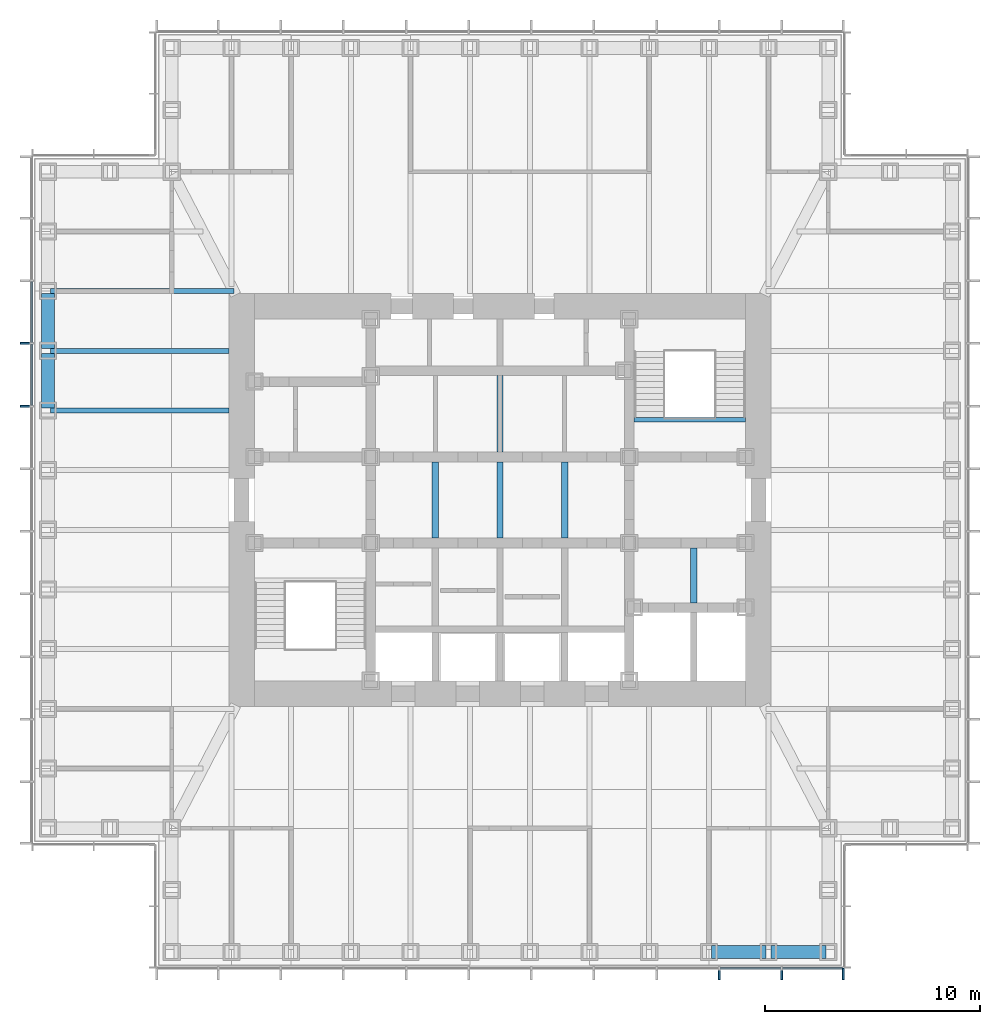
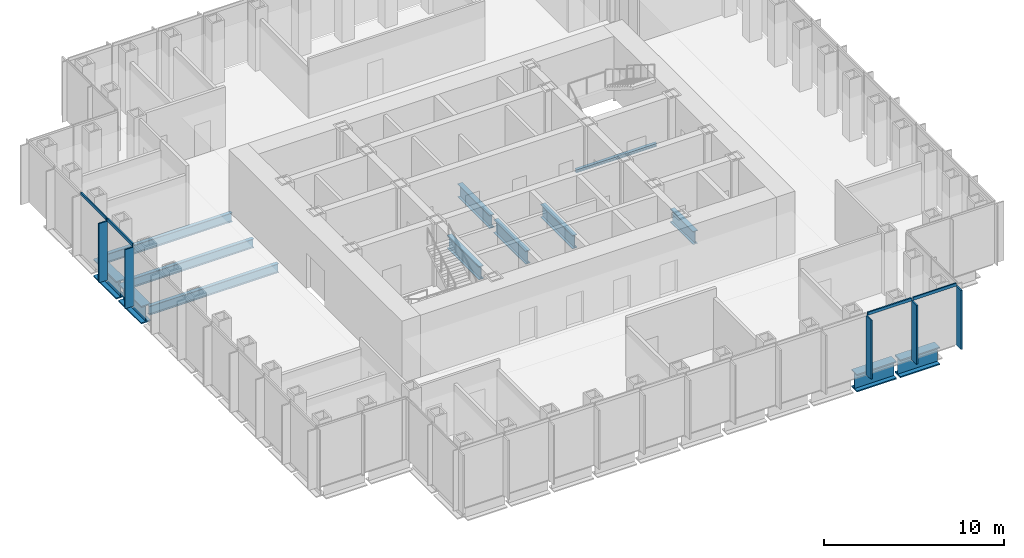
# One storey, part 3 of 16: 13 beams, 9 members, 2 elements without a shape of their own.
"""IFC4 building model written with IfcOpenShell, lengths in metres."""

import ifcopenshell
import ifcopenshell.guid

model = None  # the IFC model being written
_history = None  # IfcOwnerHistory: only IFC2X3 demands one
_inside = {}  # id of a spatial element -> (the spatial element, [elements in it])
_under = {}  # id of a project, library or spatial element -> (it, [spatial elements below it])
_declared = {}  # id of a project -> (the project, [libraries it declares])
_typed = {}  # id of a type object -> (the type object, [elements of that type])
_made_of = {}  # id of a material, layer set ... -> (it, [elements and type objects made of it])


def new_model(schema):
    """Start an empty IFC model of exactly this schema.

    Asked for "IFC4X3", IfcOpenShell would pick the latest addendum, in which some entities
    have other attributes; the version numbers below select the first issue.
    IFC2X3 requires an IfcOwnerHistory on every rooted entity: one is made here for all.
    """
    global model, _history
    if schema == "IFC4X3":
        model = ifcopenshell.file(schema_version=(4, 3, 0, 0))
    else:
        model = ifcopenshell.file(schema=schema)
    _inside.clear()
    _under.clear()
    _declared.clear()
    _typed.clear()
    _made_of.clear()
    _history = None
    if model.schema == "IFC2X3":
        org = make("IfcOrganization", Name="unknown")
        user = make(
            "IfcPersonAndOrganization",
            ThePerson=make("IfcPerson", FamilyName="unknown"),
            TheOrganization=org,
        )
        app = make(
            "IfcApplication",
            ApplicationDeveloper=org,
            Version="unknown",
            ApplicationFullName="unknown",
            ApplicationIdentifier="unknown",
        )
        _history = make(
            "IfcOwnerHistory",
            OwningUser=user,
            OwningApplication=app,
            ChangeAction="ADDED",
            CreationDate=0,
        )
    return model


def make(cls, **values):
    """One entity of the class cls with the attributes given. An attribute that is None is left unset."""
    return model.create_entity(
        cls, **{name: value for name, value in values.items() if value is not None}
    )


def rooted(cls, **values):
    """An entity with a GlobalId (a new one), such as an element, a storey or a relation."""
    return make(cls, GlobalId=ifcopenshell.guid.new(), OwnerHistory=_history, **values)


def si_unit(unit_type, name, prefix=None):
    """IfcSIUnit, for example si_unit("LENGTHUNIT", "METRE", prefix="MILLI")."""
    return make("IfcSIUnit", UnitType=unit_type, Prefix=prefix, Name=name)


def assignment(units):
    """IfcUnitAssignment: the units of a project."""
    return None if units is None else make("IfcUnitAssignment", Units=units)


def point(xyz):
    """IfcCartesianPoint."""
    return None if xyz is None else make("IfcCartesianPoint", Coordinates=xyz)


def direction(xyz):
    """IfcDirection."""
    return None if xyz is None else make("IfcDirection", DirectionRatios=xyz)


def frame(location, z_axis=None, x_axis=None):
    """IfcAxis2Placement3D, a coordinate frame: its origin and axes. An axis left out is left unset."""
    return make(
        "IfcAxis2Placement3D",
        Location=point(location),
        Axis=direction(z_axis),
        RefDirection=direction(x_axis),
    )


def frame_2d(location, x_axis=None):
    """IfcAxis2Placement2D, a coordinate frame in the plane: its origin and x axis."""
    return make(
        "IfcAxis2Placement2D", Location=point(location), RefDirection=direction(x_axis)
    )


def origin():
    """The frame at (0, 0, 0) with its axes left unset."""
    return frame((0.0, 0.0, 0.0))


def origin_2d():
    """The frame at (0, 0) in the plane with its x axis left unset."""
    return frame_2d((0.0, 0.0))


def place(relative_to, where):
    """IfcLocalPlacement: puts the frame where relative to a parent placement (None: the world)."""
    return make(
        "IfcLocalPlacement", PlacementRelTo=relative_to, RelativePlacement=where
    )


def context(
    kind, dimensions, precision=None, world=None, true_north=None, identifier=None
):
    """IfcGeometricRepresentationContext, for example the 3D "Model" context."""
    return make(
        "IfcGeometricRepresentationContext",
        ContextIdentifier=identifier,
        ContextType=kind,
        CoordinateSpaceDimension=dimensions,
        Precision=precision,
        WorldCoordinateSystem=world,
        TrueNorth=true_north,
    )


def subcontext(parent, identifier, kind, view, scale=None):
    """IfcGeometricRepresentationSubContext, for example "Body" below "Model"."""
    return make(
        "IfcGeometricRepresentationSubContext",
        ContextIdentifier=identifier,
        ContextType=kind,
        ParentContext=parent,
        TargetScale=scale,
        TargetView=view,
    )


def project(units=None, contexts=None):
    """IfcProject with its units and contexts."""
    return rooted(
        "IfcProject",
        Name="project",
        RepresentationContexts=contexts,
        UnitsInContext=assignment(units),
    )


def spatial(cls, under=None, at=None, **own):
    """A site, building, storey or space (cls), placed at a placement, below another one or the project."""
    s = rooted(cls, ObjectPlacement=at, **own)
    if under is not None:
        _under.setdefault(under.id(), (under, []))[1].append(s)
    return s


def profile(cls, at=None, kind="AREA", **sizes):
    """A parametric profile (cls). Its sizes go by their IFC names, for example OverallWidth=200.0."""
    return make(cls, ProfileType=kind, Position=at, **sizes)


def rectangle(**sizes):
    """IfcRectangleProfileDef."""
    return profile("IfcRectangleProfileDef", **sizes)


def i_section(**sizes):
    """IfcIShapeProfileDef."""
    return profile("IfcIShapeProfileDef", **sizes)


def extrude(swept, where, along, depth):
    """IfcExtrudedAreaSolid: the profile swept, set in the frame where, extruded along a direction by depth."""
    return make(
        "IfcExtrudedAreaSolid",
        SweptArea=swept,
        Position=where,
        ExtrudedDirection=direction(along),
        Depth=depth,
    )


def shape(context_of_items, identifier, shape_type, items):
    """IfcShapeRepresentation: the items that make up one representation, for example the "Body"."""
    return make(
        "IfcShapeRepresentation",
        ContextOfItems=context_of_items,
        RepresentationIdentifier=identifier,
        RepresentationType=shape_type,
        Items=items,
    )


def material(Name=None, Category=None):
    """IfcMaterial."""
    return make("IfcMaterial", Name=Name, Category=Category)


def material_profile(
    of_material, cross_section, Name=None, Category=None, Priority=None
):
    """IfcMaterialProfile: a cross section and its material."""
    return make(
        "IfcMaterialProfile",
        Name=Name,
        Material=of_material,
        Profile=cross_section,
        Priority=Priority,
        Category=Category,
    )


def profile_set(profiles, Name=None, composite=None):
    """IfcMaterialProfileSet."""
    return make(
        "IfcMaterialProfileSet",
        Name=Name,
        MaterialProfiles=profiles,
        CompositeProfile=composite,
    )


def made_of(thing, what):
    """Note that an element or type object is made of a material, layer set ...; save() writes the relation."""
    if what is not None:
        _made_of.setdefault(what.id(), (what, []))[1].append(thing)
    return thing


def type_object(cls, material=None, **own):
    """A type object (cls), such as IfcWallType, which elements share."""
    return made_of(rooted(cls, **own), material)


def element(
    cls,
    number,
    at=None,
    inside=None,
    cuts=None,
    type_object=None,
    material=None,
    context=None,
    identifier="Body",
    shape_type=None,
    held_by="IfcProductDefinitionShape",
    body=None,
    shapes=None,
    **own,
):
    """One element of the class cls, such as IfcWall. Its Tag is "e" and its number.

    at: its placement. inside: the storey or other place that contains it. cuts: it is an
    opening in that element (IfcRelVoidsElement). A single representation is given by context,
    identifier, shape_type and body (its items); several are given by shapes. held_by: the class
    of the entity that holds the representations. save() writes the other relations.
    """
    e = rooted(cls, Tag="e%d" % number, ObjectPlacement=at, **own)
    if body is not None:
        shapes = [shape(context, identifier, shape_type, body)]
    if shapes is not None:
        e.Representation = make(held_by, Representations=shapes)
    if inside is not None:
        _inside.setdefault(inside.id(), (inside, []))[1].append(e)
    if cuts is not None:
        rooted(
            "IfcRelVoidsElement", RelatingBuildingElement=cuts, RelatedOpeningElement=e
        )
    if type_object is not None:
        _typed.setdefault(type_object.id(), (type_object, []))[1].append(e)
    return made_of(e, material)


def aggregate(whole, parts):
    """IfcRelAggregates: a whole, such as a stair, and the parts it consists of."""
    return rooted("IfcRelAggregates", RelatingObject=whole, RelatedObjects=parts)


def save(model, path):
    """Write the relations noted so far, then the file.

    IfcRelAggregates (storeys below a building ...), IfcRelContainedInSpatialStructure (elements
    in a storey), IfcRelDefinesByType, IfcRelAssociatesMaterial and IfcRelDeclares: one each for
    every whole, place, type object, material and project.
    """
    for whole, parts in _under.values():
        aggregate(whole, parts)
    for where, things in _inside.values():
        rooted(
            "IfcRelContainedInSpatialStructure",
            RelatedElements=things,
            RelatingStructure=where,
        )
    for kind, things in _typed.values():
        rooted("IfcRelDefinesByType", RelatedObjects=things, RelatingType=kind)
    for what, things in _made_of.values():
        rooted("IfcRelAssociatesMaterial", RelatedObjects=things, RelatingMaterial=what)
    for by, libraries in _declared.values():
        rooted("IfcRelDeclares", RelatingContext=by, RelatedDefinitions=libraries)
    model.write(path)


model = new_model("IFC4")

# Units and contexts
model_context = context("Model", 3, precision=1e-05, world=origin(), true_north=direction((0.0, 1.0)))
body_context = subcontext(model_context, "Body", "Model", "MODEL_VIEW")
ifc_project = project(units=[si_unit("LENGTHUNIT", "METRE"), si_unit("AREAUNIT", "SQUARE_METRE"), si_unit("VOLUMEUNIT", "CUBIC_METRE"), si_unit("PLANEANGLEUNIT", "RADIAN"), si_unit("MASSUNIT", "GRAM", prefix="KILO")], contexts=[model_context])

# Site, building, storey
site_placement = place(None, origin())
site = spatial("IfcSite", under=ifc_project, at=site_placement, CompositionType="ELEMENT")
building_placement = place(site_placement, origin())
building = spatial("IfcBuilding", under=site, at=building_placement, Name="Daluyong Arena Tower", CompositionType="ELEMENT")
storey_placement = place(building_placement, frame((0.0, 0.0, 262.89990234375)))
storey = spatial("IfcBuildingStorey", under=building, at=storey_placement, Name="L59", CompositionType="ELEMENT", Elevation=262.89990234375)

# Curtain wall, members
ifc_material_1 = material(Name="Bronze anodised aluminium and glass", Category="aluminium")
curtain_wall_type = type_object("IfcCurtainWallType", Name="Curtain wall CW4", PredefinedType="USERDEFINED", material=ifc_material_1)
curtain_wall_1_placement = place(storey_placement, origin())
curtain_wall_1 = element("IfcCurtainWall", 1, at=curtain_wall_1_placement, inside=storey, type_object=curtain_wall_type, Name="curtain wall L59 S", ObjectType="UNITISED CURTAIN WALL", PredefinedType="USERDEFINED")
ifc_material_2 = material(Name="Bronze anodised aluminium fin", Category="aluminium")
ifc_material_profile_1 = material_profile(ifc_material_2, rectangle(XDim=0.550048828125, YDim=0.090087890625, at=origin_2d()))
ifc_profile_set_1 = profile_set([ifc_material_profile_1], Name="Bronze anodised aluminium fin")
member_type_1 = type_object("IfcMemberType", Name="CW4 bronze fin 550x90", PredefinedType="MULLION", material=ifc_profile_set_1)
member_1_placement = place(storey_placement, frame((66.181884765625, 57.97509765625, 0.0), z_axis=(0.0, 0.0, 1.0), x_axis=(0.0, 1.0, 0.0)))
member_1 = element("IfcMember", 2, at=member_1_placement, type_object=member_type_1, Name="curtain wall L59 S fin 10", PredefinedType="MULLION", context=body_context, shape_type="SweptSolid", body=[
    extrude(rectangle(XDim=0.550048828125, YDim=0.090087890625, at=origin_2d()), origin(), (0.0, 0.0, 1.0), 4.0),
])
member_2_placement = place(storey_placement, frame((69.0908203125, 57.97509765625, 0.0), z_axis=(0.0, 0.0, 1.0), x_axis=(0.0, 1.0, 0.0)))
member_2 = element("IfcMember", 3, at=member_2_placement, type_object=member_type_1, Name="curtain wall L59 S fin 11", PredefinedType="MULLION", context=body_context, shape_type="SweptSolid", body=[
    extrude(rectangle(XDim=0.550048828125, YDim=0.090087890625, at=origin_2d()), origin(), (0.0, 0.0, 1.0), 4.0),
])
member_3_placement = place(storey_placement, frame((71.955078125, 57.97509765625, 0.0), z_axis=(0.0, 0.0, 1.0), x_axis=(0.0, 1.0, 0.0)))
member_3 = element("IfcMember", 4, at=member_3_placement, type_object=member_type_1, Name="curtain wall L59 S fin 12", PredefinedType="MULLION", context=body_context, shape_type="SweptSolid", body=[
    extrude(rectangle(XDim=0.550048828125, YDim=0.090087890625, at=origin_2d()), origin(), (0.0, 0.0, 1.0), 4.0),
])

curtain_wall_2_placement = place(storey_placement, origin())
curtain_wall_2 = element("IfcCurtainWall", 5, at=curtain_wall_2_placement, inside=storey, type_object=curtain_wall_type, Name="curtain wall L59 W", ObjectType="UNITISED CURTAIN WALL", PredefinedType="USERDEFINED")
member_4_placement = place(storey_placement, frame((33.97509765625, 87.272705078125, 0.0), z_axis=(0.0, 0.0, 1.0), x_axis=(1.0, 0.0, 0.0)))
member_4 = element("IfcMember", 6, at=member_4_placement, type_object=member_type_1, Name="curtain wall L59 W fin 4", PredefinedType="MULLION", context=body_context, shape_type="SweptSolid", body=[
    extrude(rectangle(XDim=0.550048828125, YDim=0.090087890625, at=origin_2d()), origin(), (0.0, 0.0, 1.0), 4.0),
])
member_5_placement = place(storey_placement, frame((33.97509765625, 84.363525390625, 0.0), z_axis=(0.0, 0.0, 1.0), x_axis=(1.0, 0.0, 0.0)))
member_5 = element("IfcMember", 7, at=member_5_placement, type_object=member_type_1, Name="curtain wall L59 W fin 5", PredefinedType="MULLION", context=body_context, shape_type="SweptSolid", body=[
    extrude(rectangle(XDim=0.550048828125, YDim=0.090087890625, at=origin_2d()), origin(), (0.0, 0.0, 1.0), 4.0),
])

# Member
ifc_material_3 = material(Name="Bronze anodised aluminium", Category="aluminium")
ifc_material_profile_2 = material_profile(ifc_material_3, rectangle(XDim=0.090087890625, YDim=0.199951171875, at=origin_2d()))
ifc_profile_set_2 = profile_set([ifc_material_profile_2], Name="Bronze anodised aluminium")
member_type_2 = type_object("IfcMemberType", Name="CW4 stack transom 200x90", PredefinedType="USERDEFINED", material=ifc_profile_set_2)
member_6_placement = place(storey_placement, frame((66.226806640625, 58.25, 4.10009765625), z_axis=(1.0, 0.0, 0.0), x_axis=(0.0, 1.0, 0.0)))
member_6 = element("IfcMember", 8, at=member_6_placement, type_object=member_type_2, Name="curtain wall L59 S transom 10", ObjectType="TRANSOM", PredefinedType="USERDEFINED", context=body_context, shape_type="SweptSolid", body=[
    extrude(rectangle(XDim=0.090087890625, YDim=0.199951171875, at=origin_2d()), origin(), (0.0, 0.0, 1.0), 2.819091796875),
])

member_7_placement = place(storey_placement, frame((69.135986328125, 58.25, 4.10009765625), z_axis=(1.0, 0.0, 0.0), x_axis=(0.0, 1.0, 0.0)))
member_7 = element("IfcMember", 9, at=member_7_placement, type_object=member_type_2, Name="curtain wall L59 S transom 11", ObjectType="TRANSOM", PredefinedType="USERDEFINED", context=body_context, shape_type="SweptSolid", body=[
    extrude(rectangle(XDim=0.090087890625, YDim=0.199951171875, at=origin_2d()), origin(), (0.0, 0.0, 1.0), 2.77392578125),
])

aggregate(curtain_wall_1, [member_1, member_2, member_3, member_6, member_7])

member_8_placement = place(storey_placement, frame((34.25, 90.13671875, 4.10009765625), z_axis=(0.0, -1.0, 0.0), x_axis=(1.0, 0.0, 0.0)))
member_8 = element("IfcMember", 10, at=member_8_placement, type_object=member_type_2, Name="curtain wall L59 W transom 3", ObjectType="TRANSOM", PredefinedType="USERDEFINED", context=body_context, shape_type="SweptSolid", body=[
    extrude(rectangle(XDim=0.090087890625, YDim=0.199951171875, at=origin_2d()), origin(), (0.0, 0.0, 1.0), 2.819091796875),
])

member_9_placement = place(storey_placement, frame((34.25, 87.227783203125, 4.10009765625), z_axis=(0.0, -1.0, 0.0), x_axis=(1.0, 0.0, 0.0)))
member_9 = element("IfcMember", 11, at=member_9_placement, type_object=member_type_2, Name="curtain wall L59 W transom 4", ObjectType="TRANSOM", PredefinedType="USERDEFINED", context=body_context, shape_type="SweptSolid", body=[
    extrude(rectangle(XDim=0.090087890625, YDim=0.199951171875, at=origin_2d()), origin(), (0.0, 0.0, 1.0), 2.819091796875),
])

aggregate(curtain_wall_2, [member_4, member_5, member_8, member_9])

# Beams
ifc_material_4 = material(Name="Steel ASTM A992 Grade 50", Category="steel")
ifc_material_profile_3 = material_profile(ifc_material_4, i_section(OverallWidth=0.22900390625, OverallDepth=0.612060546875, WebThickness=0.011962890625, FlangeThickness=0.01953125, at=origin_2d()))
ifc_profile_set_3 = profile_set([ifc_material_profile_3], Name="Steel ASTM A992 Grade 50")
beam_type_1 = type_object("IfcBeamType", Name="Floor beam W24X84", PredefinedType="BEAM", material=ifc_profile_set_3)
beam_1_placement = place(storey_placement, frame((35.114990234375, 89.70458984375, -0.466064453125), z_axis=(1.0, 0.0, 0.0), x_axis=(0.0, 1.0, 0.0)))
element("IfcBeam", 12, at=beam_1_placement, inside=storey, type_object=beam_type_1, Name="floor beam FB3", PredefinedType="BEAM", context=body_context, shape_type="SweptSolid", body=[
    extrude(i_section(OverallWidth=0.22900390625, OverallDepth=0.612060546875, WebThickness=0.011962890625, FlangeThickness=0.01953125, at=origin_2d()), origin(), (0.0, 0.0, 1.0), 8.5185546875),
])
for number, where, z_axis, x_axis, name in (
    (13, (35.114990234375, 86.931884765625, -0.466064453125), (1.0, 0.0, 0.0), (0.0, 1.0, 0.0), "floor beam FB3"),
    (14, (35.114990234375, 84.1591796875, -0.466064453125), (1.0, 0.0, 0.0), (0.0, 1.0, 0.0), "floor beam FB3"),
):
    element("IfcBeam", number, at=place(storey_placement, frame(where, z_axis=z_axis, x_axis=x_axis)), inside=storey, type_object=beam_type_1, Name=name, PredefinedType="BEAM", context=body_context, shape_type="SweptSolid", body=[
        extrude(i_section(OverallWidth=0.22900390625, OverallDepth=0.612060546875, WebThickness=0.011962890625, FlangeThickness=0.01953125, at=origin_2d()), origin(), (0.0, 0.0, 1.0), 8.284912109375),
    ])
ifc_material_5 = material(Name="Steel ASTM A572 Grade 50", Category="steel")
ifc_material_profile_4 = material_profile(ifc_material_5, i_section(OverallWidth=0.300048828125, OverallDepth=0.89990234375, WebThickness=0.025, FlangeThickness=0.04, at=origin_2d()))
ifc_profile_set_4 = profile_set([ifc_material_profile_4], Name="Steel ASTM A572 Grade 50")
beam_type_2 = type_object("IfcBeamType", Name="Lift divider beam PG900X300", PredefinedType="BEAM", material=ifc_profile_set_4)
for number, where, z_axis, x_axis, name in (
    (15, (53.0, 78.22509765625, -0.60986328125), (0.0, 1.0, 0.0), (-1.0, 0.0, 0.0), "lift divider beam DB1"),
    (16, (56.0, 78.22509765625, -0.60986328125), (0.0, 1.0, 0.0), (-1.0, 0.0, 0.0), "lift divider beam DB1"),
    (17, (56.0, 82.22509765625, -0.60986328125), (0.0, 1.0, 0.0), (-1.0, 0.0, 0.0), "lift divider beam DB1"),
    (18, (59.0, 78.22509765625, -0.60986328125), (0.0, 1.0, 0.0), (-1.0, 0.0, 0.0), "lift divider beam DB1"),
):
    element("IfcBeam", number, at=place(storey_placement, frame(where, z_axis=z_axis, x_axis=x_axis)), inside=storey, type_object=beam_type_2, Name=name, PredefinedType="BEAM", context=body_context, shape_type="SweptSolid", body=[
        extrude(i_section(OverallWidth=0.300048828125, OverallDepth=0.89990234375, WebThickness=0.025, FlangeThickness=0.04, at=origin_2d()), origin(), (0.0, 0.0, 1.0), 3.5498046875),
    ])
beam_2_placement = place(storey_placement, frame((65.0, 75.22509765625, -0.60986328125), z_axis=(0.0, 1.0, 0.0), x_axis=(-1.0, 0.0, 0.0)))
element("IfcBeam", 19, at=beam_2_placement, inside=storey, type_object=beam_type_2, Name="lift divider beam DB1", PredefinedType="BEAM", context=body_context, shape_type="SweptSolid", body=[
    extrude(i_section(OverallWidth=0.300048828125, OverallDepth=0.89990234375, WebThickness=0.025, FlangeThickness=0.04, at=origin_2d()), origin(), (0.0, 0.0, 1.0), 2.5498046875),
])
ifc_material_6 = material(Name="Steel ASTM A572 Grade 50", Category="steel")
ifc_material_profile_5 = material_profile(ifc_material_6, i_section(OverallWidth=0.60009765625, OverallDepth=1.199951171875, WebThickness=0.03, FlangeThickness=0.08, at=origin_2d()))
ifc_profile_set_5 = profile_set([ifc_material_profile_5], Name="Steel ASTM A572 Grade 50")
beam_type_3 = type_object("IfcBeamType", Name="Spandrel Z4 PG1200X600", PredefinedType="SPANDREL", material=ifc_profile_set_5)
for number, where, z_axis, x_axis, name in (
    (20, (65.819580078125, 59.0, -0.760009765625), (1.0, 0.0, 0.0), (0.0, 1.0, 0.0), "spandrel z4 SB9"),
    (21, (68.59228515625, 59.0, -0.760009765625), (1.0, 0.0, 0.0), (0.0, 1.0, 0.0), "spandrel z4 SB9"),
    (22, (35.0, 89.589599609375, -0.760009765625), (0.0, -1.0, 0.0), (1.0, 0.0, 0.0), "spandrel z4 SB9"),
    (23, (35.0, 86.81689453125, -0.760009765625), (0.0, -1.0, 0.0), (1.0, 0.0, 0.0), "spandrel z4 SB9"),
):
    element("IfcBeam", number, at=place(storey_placement, frame(where, z_axis=z_axis, x_axis=x_axis)), inside=storey, type_object=beam_type_3, Name=name, PredefinedType="SPANDREL", context=body_context, shape_type="SweptSolid", body=[
        extrude(i_section(OverallWidth=0.60009765625, OverallDepth=1.199951171875, WebThickness=0.03, FlangeThickness=0.08, at=origin_2d()), origin(), (0.0, 0.0, 1.0), 2.542724609375),
    ])
ifc_material_7 = material(Name="Steel ASTM A992 Grade 50", Category="steel")
ifc_material_profile_6 = material_profile(ifc_material_7, i_section(OverallWidth=0.203125, OverallDepth=0.203125, WebThickness=0.00732421875, FlangeThickness=0.010986328125, at=origin_2d()))
ifc_profile_set_6 = profile_set([ifc_material_profile_6], Name="Steel ASTM A992 Grade 50")
beam_type_4 = type_object("IfcBeamType", Name="Stair landing beam W8X31", PredefinedType="BEAM", material=ifc_profile_set_6)
beam_3_placement = place(storey_placement, frame((62.22509765625, 83.723388671875, -0.261474609375), z_axis=(1.0, 0.0, 0.0), x_axis=(0.0, 1.0, 0.0)))
element("IfcBeam", 24, at=beam_3_placement, inside=storey, type_object=beam_type_4, Name="exit stair B landing beam", PredefinedType="BEAM", context=body_context, shape_type="SweptSolid", body=[
    extrude(i_section(OverallWidth=0.203125, OverallDepth=0.203125, WebThickness=0.00732421875, FlangeThickness=0.010986328125, at=origin_2d()), origin(), (0.0, 0.0, 1.0), 5.1748046875),
])

save(model, "model.ifc")
